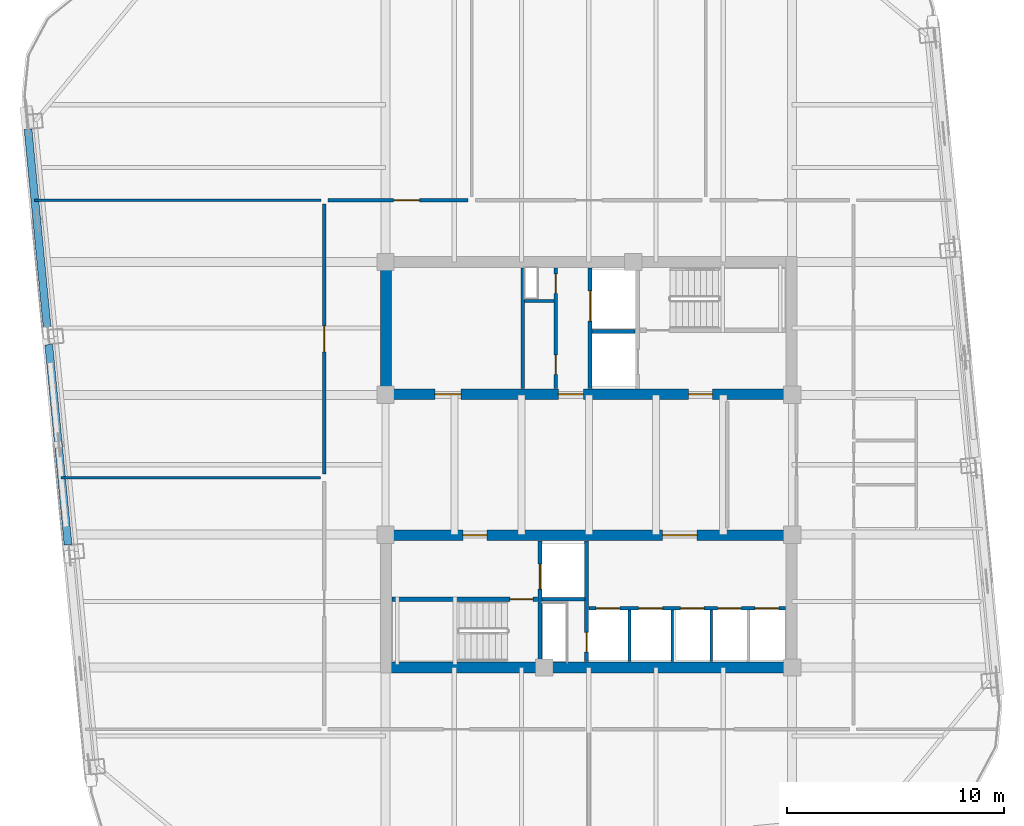
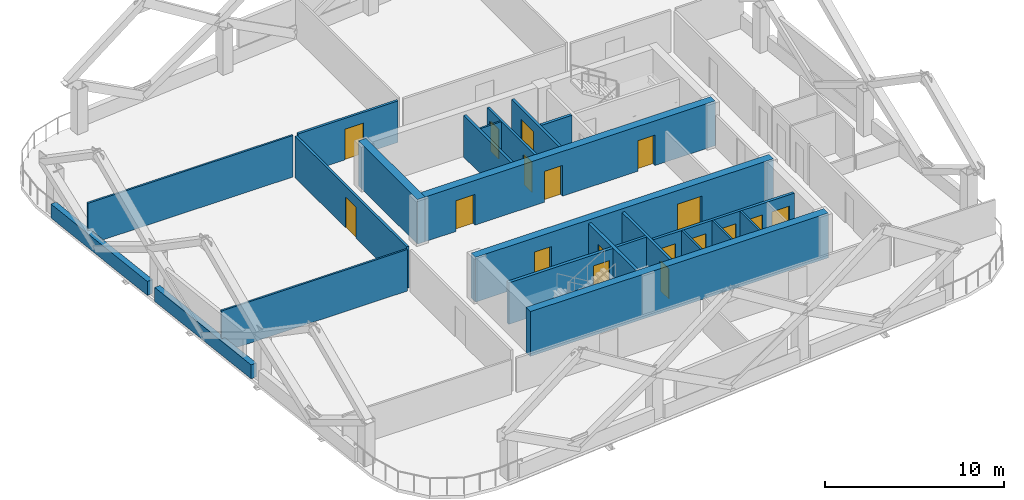
# One storey, part 4 of 9: 23 walls, 18 doors, 18 openings.
"""IFC4 building model written with IfcOpenShell, lengths in metres."""

from ifc_helpers import new_model, si_unit, direction, frame, frame_2d, origin, place, context, subcontext, project, spatial, rectangle, extrude, material, layer, layer_set, type_object, element, fill, save


model = new_model("IFC4")

# Units and contexts
model_context = context("Model", 3, precision=1e-05, world=origin(), true_north=direction((0.0, 1.0)))
body_context = subcontext(model_context, "Body", "Model", "MODEL_VIEW")
ifc_project = project(units=[si_unit("LENGTHUNIT", "METRE"), si_unit("AREAUNIT", "SQUARE_METRE"), si_unit("VOLUMEUNIT", "CUBIC_METRE"), si_unit("PLANEANGLEUNIT", "RADIAN"), si_unit("MASSUNIT", "GRAM", prefix="KILO")], contexts=[model_context])

# Site, building, storey
site_placement = place(None, origin())
site = spatial("IfcSite", under=ifc_project, at=site_placement, CompositionType="ELEMENT")
building_placement = place(site_placement, origin())
building = spatial("IfcBuilding", under=site, at=building_placement, Name="Qhalaya Broadcast Tower", CompositionType="ELEMENT")
storey_placement = place(building_placement, frame((0.0, 0.0, 180.550048828125)))
storey = spatial("IfcBuildingStorey", under=building, at=storey_placement, Name="L53", CompositionType="ELEMENT", Elevation=180.550048828125)

# Wall, openings, doors
ifc_material_1 = material(Name="Gypsum Acoustic Partition")
ifc_layer_1 = layer(ifc_material_1, 0.14990234375, Name="Gypsum Acoustic Partition")
ifc_layer_set_1 = layer_set([ifc_layer_1], Name="Gypsum Acoustic Partition")
wall_type_1 = type_object("IfcWallType", Name="Corridor & Tenancy Acoustic Partition 150", PredefinedType="PARTITIONING", material=ifc_layer_set_1)
wall_1_placement = place(storey_placement, frame((-1.52001953125, 4.1201171875, 0.0), z_axis=(0.0, 0.0, 1.0), x_axis=(0.0, 1.0, 0.0)))
wall_1 = element("IfcWall", 1, at=wall_1_placement, inside=storey, type_object=wall_type_1, Name="L53 Partition Wall NCW-SVL", PredefinedType="PARTITIONING", context=body_context, shape_type="SweptSolid", body=[
    extrude(rectangle(XDim=5.559814453125, YDim=0.14990234375, at=frame_2d((2.77978515625, 0.0))), origin(), (0.0, 0.0, 1.0), 2.829833984375),
])
opening_1_placement = place(wall_1_placement, frame((4.3798828125, 0.0, 0.0)))
opening_1 = element("IfcOpeningElement", 2, at=opening_1_placement, cuts=wall_1, Name="Opening D06", PredefinedType="OPENING", context=body_context, shape_type="SweptSolid", body=[
    extrude(rectangle(XDim=0.89990234375, YDim=2.050048828125, at=frame_2d((0.449951171875, 1.02490234375))), frame((0.0, 0.0869140625, 0.0), z_axis=(0.0, -1.0, 0.0), x_axis=(1.0, 0.0, 0.0)), (0.0, 0.0, 1.0), 0.173828125),
])
opening_2_placement = place(wall_1_placement, frame((0.64990234375, 0.0, 0.0)))
opening_2 = element("IfcOpeningElement", 3, at=opening_2_placement, cuts=wall_1, Name="Opening D06", PredefinedType="OPENING", context=body_context, shape_type="SweptSolid", body=[
    extrude(rectangle(XDim=0.89990234375, YDim=2.050048828125, at=frame_2d((0.449951171875, 1.02490234375))), frame((0.0, 0.0869140625, 0.0), z_axis=(0.0, -1.0, 0.0), x_axis=(1.0, 0.0, 0.0)), (0.0, 0.0, 1.0), 0.173828125),
])
ifc_material_2 = material(Name="Fire-Rated Steel Door", Category="steel")
door_type_1 = type_object("IfcDoorType", Name="Riser & Electrical Shaft Access Door D06", OperationType="NOTDEFINED", PredefinedType="DOOR", material=ifc_material_2)
door_1_placement = place(opening_1_placement, origin())
door_1 = element("IfcDoor", 4, at=door_1_placement, inside=storey, type_object=door_type_1, Name="L53 Riser Shaft Access Door D-NRSR", OperationType="SINGLE_SWING_RIGHT", OverallHeight=2.050048828125, OverallWidth=0.89990234375, PredefinedType="DOOR", context=body_context, shape_type="SweptSolid", body=[
    extrude(rectangle(XDim=0.89990234375, YDim=2.050048828125, at=frame_2d((0.449951171875, 1.02490234375))), frame((0.0, 0.02490234375, 0.0), z_axis=(0.0, -1.0, 0.0), x_axis=(1.0, 0.0, 0.0)), (0.0, 0.0, 1.0), 0.050048828125),
])
fill(opening_1, door_1)
door_2_placement = place(opening_2_placement, origin())
door_2 = element("IfcDoor", 5, at=door_2_placement, inside=storey, type_object=door_type_1, Name="L53 Door D-NCST", OperationType="SINGLE_SWING_LEFT", OverallHeight=2.050048828125, OverallWidth=0.89990234375, PredefinedType="DOOR", context=body_context, shape_type="SweptSolid", body=[
    extrude(rectangle(XDim=0.89990234375, YDim=2.050048828125, at=frame_2d((0.449951171875, 1.02490234375))), frame((0.0, 0.02490234375, 0.0), z_axis=(0.0, -1.0, 0.0), x_axis=(1.0, 0.0, 0.0)), (0.0, 0.0, 1.0), 0.050048828125),
])
fill(opening_2, door_2)

# Wall, opening, door
wall_2_placement = place(storey_placement, frame((-12.02001953125, 12.800048828125, 0.0), z_axis=(0.0, 0.0, 1.0), x_axis=(1.0, 0.0, 0.0)))
wall_2 = element("IfcWall", 6, at=wall_2_placement, inside=storey, type_object=wall_type_1, Name="L53 Partition Wall W-COR-01", PredefinedType="PARTITIONING", context=body_context, shape_type="SweptSolid", body=[
    extrude(rectangle(XDim=6.43994140625, YDim=0.14990234375, at=frame_2d((3.219970703125, 0.0))), origin(), (0.0, 0.0, 1.0), 2.829833984375),
])
opening_3_placement = place(wall_2_placement, frame((3.02001953125, 0.0, 0.0)))
opening_3 = element("IfcOpeningElement", 7, at=opening_3_placement, cuts=wall_2, Name="Opening D11", PredefinedType="OPENING", context=body_context, shape_type="SweptSolid", body=[
    extrude(rectangle(XDim=1.199951171875, YDim=2.10009765625, at=frame_2d((0.60009765625, 1.050048828125))), frame((0.0, 0.0869140625, 0.0), z_axis=(0.0, -1.0, 0.0), x_axis=(1.0, 0.0, 0.0)), (0.0, 0.0, 1.0), 0.173828125),
])
ifc_material_3 = material(Name="Anodised Aluminium Glazed Door", Category="aluminium")
door_type_2 = type_object("IfcDoorType", Name="Conference, Boardroom & Studio Control Door D11", OperationType="NOTDEFINED", PredefinedType="DOOR", material=ifc_material_3)
door_3_placement = place(opening_3_placement, origin())
door_3 = element("IfcDoor", 8, at=door_3_placement, inside=storey, type_object=door_type_2, Name="L53 Door D-RM01", OperationType="SINGLE_SWING_LEFT", OverallHeight=2.10009765625, OverallWidth=1.199951171875, PredefinedType="DOOR", context=body_context, shape_type="SweptSolid", body=[
    extrude(rectangle(XDim=1.199951171875, YDim=2.10009765625, at=frame_2d((0.60009765625, 1.050048828125))), frame((0.0, 0.02490234375, 0.0), z_axis=(0.0, -1.0, 0.0), x_axis=(1.0, 0.0, 0.0)), (0.0, 0.0, 1.0), 0.050048828125),
])
fill(opening_3, door_3)

wall_3_placement = place(storey_placement, frame((-12.199951171875, 0.179931640625, 0.0), z_axis=(0.0, 0.0, 1.0), x_axis=(0.0, 1.0, 0.0)))
wall_3 = element("IfcWall", 9, at=wall_3_placement, inside=storey, type_object=wall_type_1, Name="L53 Partition Wall W-COR-07", PredefinedType="PARTITIONING", context=body_context, shape_type="SweptSolid", body=[
    extrude(rectangle(XDim=12.440185546875, YDim=0.14990234375, at=frame_2d((6.22021484375, 0.0))), origin(), (0.0, 0.0, 1.0), 2.829833984375),
])
opening_4_placement = place(wall_3_placement, frame((5.6201171875, 0.0, 0.0)))
opening_4 = element("IfcOpeningElement", 10, at=opening_4_placement, cuts=wall_3, Name="Opening D11", PredefinedType="OPENING", context=body_context, shape_type="SweptSolid", body=[
    extrude(rectangle(XDim=1.199951171875, YDim=2.10009765625, at=frame_2d((0.60009765625, 1.050048828125))), frame((0.0, 0.0869140625, 0.0), z_axis=(0.0, -1.0, 0.0), x_axis=(1.0, 0.0, 0.0)), (0.0, 0.0, 1.0), 0.173828125),
])
door_4_placement = place(opening_4_placement, origin())
door_4 = element("IfcDoor", 11, at=door_4_placement, inside=storey, type_object=door_type_2, Name="L53 Door D-RM07", OperationType="SINGLE_SWING_LEFT", OverallHeight=2.10009765625, OverallWidth=1.199951171875, PredefinedType="DOOR", context=body_context, shape_type="SweptSolid", body=[
    extrude(rectangle(XDim=1.199951171875, YDim=2.10009765625, at=frame_2d((0.60009765625, 1.050048828125))), frame((0.0, 0.02490234375, 0.0), z_axis=(0.0, -1.0, 0.0), x_axis=(1.0, 0.0, 0.0)), (0.0, 0.0, 1.0), 0.050048828125),
])
fill(opening_4, door_4)

# Walls
ifc_material_4 = material(Name="Precast Concrete C40/50", Category="concrete")
ifc_layer_2 = layer(ifc_material_4, 0.360107421875, Name="Precast Concrete C40/50")
ifc_layer_set_2 = layer_set([ifc_layer_2], Name="Precast Concrete C40/50")
wall_type_2 = type_object("IfcWallType", Name="Insulated Precast Terracotta Exterior Wall 360", PredefinedType="SOLIDWALL", material=ifc_layer_set_2)
wall_4_placement = place(storey_placement, frame((-24.00927734375, -3.085693359375, 0.0), z_axis=(0.0, 0.0, 1.0), x_axis=(-0.095848453547, 0.995395938284, 0.0)))
element("IfcWall", 12, at=wall_4_placement, inside=storey, type_object=wall_type_2, Name="L53 Exoskeleton Diagrid Infill Wall W2", PredefinedType="SOLIDWALL", context=body_context, shape_type="SweptSolid", body=[
    extrude(rectangle(XDim=9.2666015625, YDim=0.360107421875, at=frame_2d((4.63330078125, 0.0))), origin(), (0.0, 0.0, 1.0), 0.949951171875),
])
wall_5_placement = place(storey_placement, frame((-24.964599609375, 6.835205078125, 0.0), z_axis=(0.0, 0.0, 1.0), x_axis=(-0.095829727039, 0.995397741315, 0.0)))
element("IfcWall", 13, at=wall_5_placement, inside=storey, type_object=wall_type_2, Name="L53 Exoskeleton Diagrid Infill Wall W3", PredefinedType="SOLIDWALL", context=body_context, shape_type="SweptSolid", body=[
    extrude(rectangle(XDim=9.278564453125, YDim=0.360107421875, at=frame_2d((4.63916015625, 0.0))), origin(), (0.0, 0.0, 1.0), 0.949951171875),
])

# Wall, opening, door
ifc_material_5 = material(Name="Concrete C50/60", Category="concrete")
ifc_layer_3 = layer(ifc_material_5, 0.199951171875, Name="Concrete C50/60")
ifc_layer_set_3 = layer_set([ifc_layer_3], Name="Concrete C50/60")
wall_type_3 = type_object("IfcWallType", Name="Load-Bearing Stair Shaft Wall 200", PredefinedType="SHEAR", material=ifc_layer_set_3)
wall_6_placement = place(storey_placement, frame((-9.080078125, -5.60498046875, 0.0), z_axis=(0.0, 0.0, 1.0), x_axis=(1.0, 0.0, 0.0)))
wall_6 = element("IfcWall", 14, at=wall_6_placement, inside=storey, type_object=wall_type_3, Name="L53 Stair Core Shear Wall SCW-ST2", PredefinedType="SHEAR", context=body_context, shape_type="SweptSolid", body=[
    extrude(rectangle(XDim=6.719970703125, YDim=0.199951171875, at=frame_2d((3.35986328125, 0.0))), origin(), (0.0, 0.0, 1.0), 2.829833984375),
])
opening_5_placement = place(wall_6_placement, frame((5.449951171875, 0.0, 0.0)))
opening_5 = element("IfcOpeningElement", 15, at=opening_5_placement, cuts=wall_6, Name="Opening D03", PredefinedType="OPENING", context=body_context, shape_type="SweptSolid", body=[
    extrude(rectangle(XDim=1.050048828125, YDim=2.080078125, at=frame_2d((0.52490234375, 1.0400390625))), frame((0.0, 0.112060546875, 0.0), z_axis=(0.0, -1.0, 0.0), x_axis=(1.0, 0.0, 0.0)), (0.0, 0.0, 1.0), 0.223876953125),
])
door_type_3 = type_object("IfcDoorType", Name="Core Stair Protected Fire Door D03", OperationType="NOTDEFINED", PredefinedType="DOOR", material=ifc_material_2)
door_5_placement = place(opening_5_placement, origin())
door_5 = element("IfcDoor", 16, at=door_5_placement, inside=storey, type_object=door_type_3, Name="L53 Door D-SST2", OperationType="SINGLE_SWING_RIGHT", OverallHeight=2.080078125, OverallWidth=1.050048828125, PredefinedType="DOOR", context=body_context, shape_type="SweptSolid", body=[
    extrude(rectangle(XDim=1.050048828125, YDim=2.080078125, at=frame_2d((0.52490234375, 1.0400390625))), frame((0.0, 0.02490234375, 0.0), z_axis=(0.0, -1.0, 0.0), x_axis=(1.0, 0.0, 0.0)), (0.0, 0.0, 1.0), 0.050048828125),
])
fill(opening_5, door_5)

wall_7_placement = place(storey_placement, frame((-2.25, -8.47998046875, 0.0), z_axis=(0.0, 0.0, 1.0), x_axis=(0.0, 1.0, 0.0)))
wall_7 = element("IfcWall", 17, at=wall_7_placement, inside=storey, type_object=wall_type_3, Name="L53 Stair Core Shear Wall SCW-FF", PredefinedType="SHEAR", context=body_context, shape_type="SweptSolid", body=[
    extrude(rectangle(XDim=5.56005859375, YDim=0.199951171875, at=frame_2d((2.780029296875, 0.0))), origin(), (0.0, 0.0, 1.0), 2.829833984375),
])
opening_6_placement = place(wall_7_placement, frame((3.35009765625, 0.0, 0.0)))
opening_6 = element("IfcOpeningElement", 18, at=opening_6_placement, cuts=wall_7, Name="Opening LD2", PredefinedType="OPENING", context=body_context, shape_type="SweptSolid", body=[
    extrude(rectangle(XDim=1.14990234375, YDim=2.080078125, at=frame_2d((0.574951171875, 1.0400390625))), frame((0.0, 0.112060546875, 0.0), z_axis=(0.0, -1.0, 0.0), x_axis=(1.0, 0.0, 0.0)), (0.0, 0.0, 1.0), 0.223876953125),
])
ifc_material_6 = material(Name="Brushed Stainless Steel Lift Door", Category="steel")
door_type_4 = type_object("IfcDoorType", Name="Firefighting Lift Sliding Landing Door LD2", OperationType="DOUBLE_DOOR_SLIDING", PredefinedType="DOOR", material=ifc_material_6)
door_6_placement = place(opening_6_placement, origin())
door_6 = element("IfcDoor", 19, at=door_6_placement, inside=storey, type_object=door_type_4, Name="L53 Door LD-FF2", OperationType="DOUBLE_DOOR_SLIDING", OverallHeight=2.080078125, OverallWidth=1.14990234375, PredefinedType="DOOR", context=body_context, shape_type="SweptSolid", body=[
    extrude(rectangle(XDim=1.14990234375, YDim=2.080078125, at=frame_2d((0.574951171875, 1.0400390625))), frame((0.0, 0.02490234375, 0.0), z_axis=(0.0, -1.0, 0.0), x_axis=(1.0, 0.0, 0.0)), (0.0, 0.0, 1.0), 0.050048828125),
])
fill(opening_6, door_6)

# Wall, openings, doors
ifc_layer_4 = layer(ifc_material_5, 0.5, Name="Concrete C50/60")
ifc_layer_set_4 = layer_set([ifc_layer_4], Name="Concrete C50/60")
wall_type_4 = type_object("IfcWallType", Name="Mid Split-Core Shear Wall 500", PredefinedType="SHEAR", material=ifc_layer_set_4)
wall_8_placement = place(storey_placement, frame((-9.60009765625, 3.85009765625, 0.0), z_axis=(0.0, 0.0, 1.0), x_axis=(1.0, 0.0, 0.0)))
wall_8 = element("IfcWall", 20, at=wall_8_placement, inside=storey, type_object=wall_type_4, Name="L53 Split-Core Shear Wall CW-NS", PredefinedType="SHEAR", context=body_context, shape_type="SweptSolid", body=[
    extrude(rectangle(XDim=19.2001953125, YDim=0.5, at=frame_2d((9.60009765625, 0.0))), origin(), (0.0, 0.0, 1.0), 3.050048828125),
])
opening_7_placement = place(wall_8_placement, frame((14.199951171875, 0.0, 0.0)))
opening_7 = element("IfcOpeningElement", 21, at=opening_7_placement, cuts=wall_8, Name="Opening D04", PredefinedType="OPENING", context=body_context, shape_type="SweptSolid", body=[
    extrude(rectangle(XDim=1.10009765625, YDim=2.080078125, at=frame_2d((0.550048828125, 1.0400390625))), frame((0.0, 0.261962890625, 0.0), z_axis=(0.0, -1.0, 0.0), x_axis=(1.0, 0.0, 0.0)), (0.0, 0.0, 1.0), 0.52392578125),
])
opening_8_placement = place(wall_8_placement, frame((8.199951171875, 0.0, 0.0)))
opening_8 = element("IfcOpeningElement", 22, at=opening_8_placement, cuts=wall_8, Name="Opening D05", PredefinedType="OPENING", context=body_context, shape_type="SweptSolid", body=[
    extrude(rectangle(XDim=1.14990234375, YDim=2.10009765625, at=frame_2d((0.574951171875, 1.050048828125))), frame((0.0, 0.261962890625, 0.0), z_axis=(0.0, -1.0, 0.0), x_axis=(1.0, 0.0, 0.0)), (0.0, 0.0, 1.0), 0.52392578125),
])
opening_9_placement = place(wall_8_placement, frame((2.5, 0.0, 0.0)))
opening_9 = element("IfcOpeningElement", 23, at=opening_9_placement, cuts=wall_8, Name="Opening D11", PredefinedType="OPENING", context=body_context, shape_type="SweptSolid", body=[
    extrude(rectangle(XDim=1.199951171875, YDim=2.10009765625, at=frame_2d((0.60009765625, 1.050048828125))), frame((0.0, 0.261962890625, 0.0), z_axis=(0.0, -1.0, 0.0), x_axis=(1.0, 0.0, 0.0)), (0.0, 0.0, 1.0), 0.52392578125),
])
door_7_placement = place(opening_9_placement, origin())
door_7 = element("IfcDoor", 24, at=door_7_placement, inside=storey, type_object=door_type_2, Name="L53 Door D-NREC1", OperationType="SINGLE_SWING_LEFT", OverallHeight=2.10009765625, OverallWidth=1.199951171875, PredefinedType="DOOR", context=body_context, shape_type="SweptSolid", body=[
    extrude(rectangle(XDim=1.199951171875, YDim=2.10009765625, at=frame_2d((0.60009765625, 1.050048828125))), frame((0.0, 0.02490234375, 0.0), z_axis=(0.0, -1.0, 0.0), x_axis=(1.0, 0.0, 0.0)), (0.0, 0.0, 1.0), 0.050048828125),
])
fill(opening_9, door_7)
door_type_5 = type_object("IfcDoorType", Name="Firefighting Lobby Rated Door D04", OperationType="NOTDEFINED", PredefinedType="DOOR", material=ifc_material_2)
door_8_placement = place(opening_7_placement, origin())
door_8 = element("IfcDoor", 25, at=door_8_placement, inside=storey, type_object=door_type_5, Name="L53 Door D-NFF", OperationType="SINGLE_SWING_RIGHT", OverallHeight=2.080078125, OverallWidth=1.10009765625, PredefinedType="DOOR", context=body_context, shape_type="SweptSolid", body=[
    extrude(rectangle(XDim=1.10009765625, YDim=2.080078125, at=frame_2d((0.550048828125, 1.0400390625))), frame((0.0, 0.02490234375, 0.0), z_axis=(0.0, -1.0, 0.0), x_axis=(1.0, 0.0, 0.0)), (0.0, 0.0, 1.0), 0.050048828125),
])
fill(opening_7, door_8)
door_type_6 = type_object("IfcDoorType", Name="Refuge & Plant Room Fire Door D05", OperationType="NOTDEFINED", PredefinedType="DOOR", material=ifc_material_2)
door_9_placement = place(opening_8_placement, origin())
door_9 = element("IfcDoor", 26, at=door_9_placement, inside=storey, type_object=door_type_6, Name="L53 Door D-NSVL", OperationType="SINGLE_SWING_LEFT", OverallHeight=2.10009765625, OverallWidth=1.14990234375, PredefinedType="DOOR", context=body_context, shape_type="SweptSolid", body=[
    extrude(rectangle(XDim=1.14990234375, YDim=2.10009765625, at=frame_2d((0.574951171875, 1.050048828125))), frame((0.0, 0.02490234375, 0.0), z_axis=(0.0, -1.0, 0.0), x_axis=(1.0, 0.0, 0.0)), (0.0, 0.0, 1.0), 0.050048828125),
])
fill(opening_8, door_9)

# Walls
wall_9_placement = place(storey_placement, frame((-9.35009765625, 3.60009765625, 0.0), z_axis=(0.0, 0.0, 1.0), x_axis=(0.0, 1.0, 0.0)))
element("IfcWall", 27, at=wall_9_placement, inside=storey, type_object=wall_type_4, Name="L53 Split-Core Shear Wall CW-NW", PredefinedType="SHEAR", context=body_context, shape_type="SweptSolid", body=[
    extrude(rectangle(XDim=6.599853515625, YDim=0.5, at=frame_2d((3.2998046875, 0.0))), origin(), (0.0, 0.0, 1.0), 3.050048828125),
])
wall_10_placement = place(storey_placement, frame((-9.60009765625, -8.75, 0.0), z_axis=(0.0, 0.0, 1.0), x_axis=(1.0, 0.0, 0.0)))
element("IfcWall", 28, at=wall_10_placement, inside=storey, type_object=wall_type_4, Name="L53 Split-Core Shear Wall CW-SS", PredefinedType="SHEAR", context=body_context, shape_type="SweptSolid", body=[
    extrude(rectangle(XDim=19.2001953125, YDim=0.5, at=frame_2d((9.60009765625, 0.0))), origin(), (0.0, 0.0, 1.0), 3.050048828125),
])

# Wall, openings, doors
wall_11_placement = place(storey_placement, frame((-9.60009765625, -2.64990234375, 0.0), z_axis=(0.0, 0.0, 1.0), x_axis=(1.0, 0.0, 0.0)))
wall_11 = element("IfcWall", 29, at=wall_11_placement, inside=storey, type_object=wall_type_4, Name="L53 Split-Core Shear Wall CW-SN", PredefinedType="SHEAR", context=body_context, shape_type="SweptSolid", body=[
    extrude(rectangle(XDim=19.2001953125, YDim=0.5, at=frame_2d((9.60009765625, 0.0))), origin(), (0.0, 0.0, 1.0), 3.050048828125),
])
opening_10_placement = place(wall_11_placement, frame((3.800048828125, 0.0, 0.0)))
opening_10 = element("IfcOpeningElement", 30, at=opening_10_placement, cuts=wall_11, Name="Opening D04", PredefinedType="OPENING", context=body_context, shape_type="SweptSolid", body=[
    extrude(rectangle(XDim=1.10009765625, YDim=2.080078125, at=frame_2d((0.550048828125, 1.0400390625))), frame((0.0, 0.261962890625, 0.0), z_axis=(0.0, -1.0, 0.0), x_axis=(1.0, 0.0, 0.0)), (0.0, 0.0, 1.0), 0.52392578125),
])
opening_11_placement = place(wall_11_placement, frame((13.0, 0.0, 0.0)))
opening_11 = element("IfcOpeningElement", 31, at=opening_11_placement, cuts=wall_11, Name="Opening D07", PredefinedType="OPENING", context=body_context, shape_type="SweptSolid", body=[
    extrude(rectangle(XDim=1.60009765625, YDim=2.1201171875, at=frame_2d((0.800048828125, 1.06005859375))), frame((0.0, 0.261962890625, 0.0), z_axis=(0.0, -1.0, 0.0), x_axis=(1.0, 0.0, 0.0)), (0.0, 0.0, 1.0), 0.52392578125),
])
door_10_placement = place(opening_10_placement, origin())
door_10 = element("IfcDoor", 32, at=door_10_placement, inside=storey, type_object=door_type_5, Name="L53 Door D-SFF", OperationType="SINGLE_SWING_LEFT", OverallHeight=2.080078125, OverallWidth=1.10009765625, PredefinedType="DOOR", context=body_context, shape_type="SweptSolid", body=[
    extrude(rectangle(XDim=1.10009765625, YDim=2.080078125, at=frame_2d((0.550048828125, 1.0400390625))), frame((0.0, 0.02490234375, 0.0), z_axis=(0.0, -1.0, 0.0), x_axis=(1.0, 0.0, 0.0)), (0.0, 0.0, 1.0), 0.050048828125),
])
fill(opening_10, door_10)
door_type_7 = type_object("IfcDoorType", Name="Passenger Lift Lobby Double Glazed Door D07", OperationType="DOUBLE_DOOR_SINGLE_SWING", PredefinedType="DOOR", material=ifc_material_3)
door_11_placement = place(opening_11_placement, origin())
door_11 = element("IfcDoor", 33, at=door_11_placement, inside=storey, type_object=door_type_7, Name="L53 Door D-SPLL", OperationType="DOUBLE_DOOR_SINGLE_SWING", OverallHeight=2.1201171875, OverallWidth=1.60009765625, PredefinedType="DOOR", context=body_context, shape_type="SweptSolid", body=[
    extrude(rectangle(XDim=1.60009765625, YDim=2.1201171875, at=frame_2d((0.800048828125, 1.06005859375))), frame((0.0, 0.02490234375, 0.0), z_axis=(0.0, -1.0, 0.0), x_axis=(1.0, 0.0, 0.0)), (0.0, 0.0, 1.0), 0.050048828125),
])
fill(opening_11, door_11)

# Walls
ifc_layer_5 = layer(ifc_material_1, 0.1201171875, Name="Gypsum Acoustic Partition")
ifc_layer_set_5 = layer_set([ifc_layer_5], Name="Gypsum Acoustic Partition")
wall_type_5 = type_object("IfcWallType", Name="Office, Booth & Sanitary Partition 120", PredefinedType="PARTITIONING", material=ifc_layer_set_5)
wall_12_placement = place(storey_placement, frame((-2.9599609375, 8.14990234375, 0.0), z_axis=(0.0, 0.0, 1.0), x_axis=(1.0, 0.0, 0.0)))
element("IfcWall", 34, at=wall_12_placement, inside=storey, type_object=wall_type_5, Name="L53 Partition Wall NCW-VA", PredefinedType="PARTITIONING", context=body_context, shape_type="SweptSolid", body=[
    extrude(rectangle(XDim=1.35986328125, YDim=0.1201171875, at=frame_2d((0.679931640625, 0.0))), origin(), (0.0, 0.0, 1.0), 2.829833984375),
])
for number, where, z_axis, x_axis, name in (
    (35, (1.8798828125, -8.47998046875, 0.0), (0.0, 0.0, 1.0), (0.0, 1.0, 0.0), "L53 Partition Wall SCW-MD4"),
    (36, (3.85009765625, -8.47998046875, 0.0), (0.0, 0.0, 1.0), (0.0, 1.0, 0.0), "L53 Partition Wall SCW-MD5"),
    (37, (5.639892578125, -8.47998046875, 0.0), (0.0, 0.0, 1.0), (0.0, 1.0, 0.0), "L53 Partition Wall SCW-HD6"),
):
    element("IfcWall", number, at=place(storey_placement, frame(where, z_axis=z_axis, x_axis=x_axis)), inside=storey, type_object=wall_type_5, Name=name, PredefinedType="PARTITIONING", context=body_context, shape_type="SweptSolid", body=[
        extrude(rectangle(XDim=2.3798828125, YDim=0.1201171875, at=frame_2d((1.18994140625, 0.0))), origin(), (0.0, 0.0, 1.0), 2.829833984375),
    ])
wall_13_placement = place(storey_placement, frame((-25.558837890625, 12.800048828125, 0.0), z_axis=(0.0, 0.0, 1.0), x_axis=(1.0, 0.0, 0.0)))
element("IfcWall", 38, at=wall_13_placement, inside=storey, type_object=wall_type_5, Name="L53 Partition Wall W-BNDW1", PredefinedType="PARTITIONING", context=body_context, shape_type="SweptSolid", body=[
    extrude(rectangle(XDim=13.21875, YDim=0.1201171875, at=frame_2d((6.609375, 0.0))), origin(), (0.0, 0.0, 1.0), 2.829833984375),
])
wall_14_placement = place(storey_placement, frame((-24.326416015625, 0.0, 0.0), z_axis=(0.0, 0.0, 1.0), x_axis=(1.0, 0.0, 0.0)))
element("IfcWall", 39, at=wall_14_placement, inside=storey, type_object=wall_type_5, Name="L53 Partition Wall W-DIVW1", PredefinedType="PARTITIONING", context=body_context, shape_type="SweptSolid", body=[
    extrude(rectangle(XDim=11.96630859375, YDim=0.1201171875, at=frame_2d((5.983154296875, 0.0))), origin(), (0.0, 0.0, 1.0), 2.829833984375),
])

# Wall, opening, door
ifc_layer_6 = layer(ifc_material_1, 0.175048828125, Name="Gypsum Acoustic Partition")
ifc_layer_set_6 = layer_set([ifc_layer_6], Name="Gypsum Acoustic Partition")
wall_type_6 = type_object("IfcWallType", Name="Shaft & Riser Fire Partition 175", PredefinedType="PARTITIONING", material=ifc_layer_set_6)
wall_15_placement = place(storey_placement, frame((0.06005859375, 4.1201171875, 0.0), z_axis=(0.0, 0.0, 1.0), x_axis=(0.0, 1.0, 0.0)))
wall_15 = element("IfcWall", 40, at=wall_15_placement, inside=storey, type_object=wall_type_6, Name="L53 Partition Wall NCW-SVW", PredefinedType="PARTITIONING", context=body_context, shape_type="SweptSolid", body=[
    extrude(rectangle(XDim=5.559814453125, YDim=0.175048828125, at=frame_2d((2.77978515625, 0.0))), origin(), (0.0, 0.0, 1.0), 2.829833984375),
])
opening_12_placement = place(wall_15_placement, frame((3.10009765625, 0.0, 0.0)))
opening_12 = element("IfcOpeningElement", 41, at=opening_12_placement, cuts=wall_15, Name="Opening LD3", PredefinedType="OPENING", context=body_context, shape_type="SweptSolid", body=[
    extrude(rectangle(XDim=1.39990234375, YDim=2.1201171875, at=frame_2d((0.699951171875, 1.06005859375))), frame((0.0, 0.099609375, 0.0), z_axis=(0.0, -1.0, 0.0), x_axis=(1.0, 0.0, 0.0)), (0.0, 0.0, 1.0), 0.198974609375),
])
door_type_8 = type_object("IfcDoorType", Name="Service Lift Wide Sliding Landing Door LD3", OperationType="DOUBLE_DOOR_SLIDING", PredefinedType="DOOR", material=ifc_material_6)
door_12_placement = place(opening_12_placement, origin())
door_12 = element("IfcDoor", 42, at=door_12_placement, inside=storey, type_object=door_type_8, Name="L53 Door LD-SV1", OperationType="DOUBLE_DOOR_SLIDING", OverallHeight=2.1201171875, OverallWidth=1.39990234375, PredefinedType="DOOR", context=body_context, shape_type="SweptSolid", body=[
    extrude(rectangle(XDim=1.39990234375, YDim=2.1201171875, at=frame_2d((0.699951171875, 1.06005859375))), frame((0.0, 0.02490234375, 0.0), z_axis=(0.0, -1.0, 0.0), x_axis=(1.0, 0.0, 0.0)), (0.0, 0.0, 1.0), 0.050048828125),
])
fill(opening_12, door_12)

# Walls
wall_16_placement = place(storey_placement, frame((0.159912109375, 6.75, 0.0), z_axis=(0.0, 0.0, 1.0), x_axis=(1.0, 0.0, 0.0)))
element("IfcWall", 43, at=wall_16_placement, inside=storey, type_object=wall_type_6, Name="L53 Partition Wall NCW-SVM", PredefinedType="PARTITIONING", context=body_context, shape_type="SweptSolid", body=[
    extrude(rectangle(XDim=1.97998046875, YDim=0.175048828125, at=frame_2d((0.989990234375, 0.0))), origin(), (0.0, 0.0, 1.0), 2.829833984375),
])
wall_17_placement = place(storey_placement, frame((-3.0400390625, 4.1201171875, 0.0), z_axis=(0.0, 0.0, 1.0), x_axis=(0.0, 1.0, 0.0)))
element("IfcWall", 44, at=wall_17_placement, inside=storey, type_object=wall_type_6, Name="L53 Partition Wall NCW-VRW", PredefinedType="PARTITIONING", context=body_context, shape_type="SweptSolid", body=[
    extrude(rectangle(XDim=5.559814453125, YDim=0.175048828125, at=frame_2d((2.77978515625, 0.0))), origin(), (0.0, 0.0, 1.0), 2.829833984375),
])

# Wall, opening, door
wall_18_placement = place(storey_placement, frame((-0.10009765625, -8.47998046875, 0.0), z_axis=(0.0, 0.0, 1.0), x_axis=(0.0, 1.0, 0.0)))
wall_18 = element("IfcWall", 45, at=wall_18_placement, inside=storey, type_object=wall_type_6, Name="L53 Partition Wall SCW-FFE", PredefinedType="PARTITIONING", context=body_context, shape_type="SweptSolid", body=[
    extrude(rectangle(XDim=5.56005859375, YDim=0.175048828125, at=frame_2d((2.780029296875, 0.0))), origin(), (0.0, 0.0, 1.0), 2.829833984375),
])
opening_13_placement = place(wall_18_placement, frame((0.449951171875, 0.0, 0.0)))
opening_13 = element("IfcOpeningElement", 46, at=opening_13_placement, cuts=wall_18, Name="Opening D06", PredefinedType="OPENING", context=body_context, shape_type="SweptSolid", body=[
    extrude(rectangle(XDim=0.89990234375, YDim=2.050048828125, at=frame_2d((0.449951171875, 1.02490234375))), frame((0.0, 0.099609375, 0.0), z_axis=(0.0, -1.0, 0.0), x_axis=(1.0, 0.0, 0.0)), (0.0, 0.0, 1.0), 0.198974609375),
])
door_13_placement = place(opening_13_placement, origin())
door_13 = element("IfcDoor", 47, at=door_13_placement, inside=storey, type_object=door_type_1, Name="L53 Riser Shaft Access Door D-SRSR", OperationType="SINGLE_SWING_LEFT", OverallHeight=2.050048828125, OverallWidth=0.89990234375, PredefinedType="DOOR", context=body_context, shape_type="SweptSolid", body=[
    extrude(rectangle(XDim=0.89990234375, YDim=2.050048828125, at=frame_2d((0.449951171875, 1.02490234375))), frame((0.0, 0.02490234375, 0.0), z_axis=(0.0, -1.0, 0.0), x_axis=(1.0, 0.0, 0.0)), (0.0, 0.0, 1.0), 0.050048828125),
])
fill(opening_13, door_13)

# Wall
wall_19_placement = place(storey_placement, frame((-2.14990234375, -5.60009765625, 0.0), z_axis=(0.0, 0.0, 1.0), x_axis=(1.0, 0.0, 0.0)))
element("IfcWall", 48, at=wall_19_placement, inside=storey, type_object=wall_type_6, Name="L53 Partition Wall SCW-FFM", PredefinedType="PARTITIONING", context=body_context, shape_type="SweptSolid", body=[
    extrude(rectangle(XDim=1.969970703125, YDim=0.175048828125, at=frame_2d((0.98486328125, 0.0))), origin(), (0.0, 0.0, 1.0), 2.829833984375),
])

# Wall, openings, doors
wall_20_placement = place(storey_placement, frame((0.0, -6.02001953125, 0.0), z_axis=(0.0, 0.0, 1.0), x_axis=(1.0, 0.0, 0.0)))
wall_20 = element("IfcWall", 49, at=wall_20_placement, inside=storey, type_object=wall_type_6, Name="L53 Partition Wall SCW-SLB", PredefinedType="PARTITIONING", context=body_context, shape_type="SweptSolid", body=[
    extrude(rectangle(XDim=9.080078125, YDim=0.175048828125, at=frame_2d((4.5400390625, 0.0))), origin(), (0.0, 0.0, 1.0), 2.829833984375),
])
opening_14_placement = place(wall_20_placement, frame((0.330078125, 0.0, 0.0)))
opening_14 = element("IfcOpeningElement", 50, at=opening_14_placement, cuts=wall_20, Name="Opening LD1", PredefinedType="OPENING", context=body_context, shape_type="SweptSolid", body=[
    extrude(rectangle(XDim=1.10009765625, YDim=2.06005859375, at=frame_2d((0.550048828125, 1.030029296875))), frame((0.0, 0.099609375, 0.0), z_axis=(0.0, -1.0, 0.0), x_axis=(1.0, 0.0, 0.0)), (0.0, 0.0, 1.0), 0.198974609375),
])
opening_15_placement = place(wall_20_placement, frame((2.300048828125, 0.0, 0.0)))
opening_15 = element("IfcOpeningElement", 51, at=opening_15_placement, cuts=wall_20, Name="Opening LD1", PredefinedType="OPENING", context=body_context, shape_type="SweptSolid", body=[
    extrude(rectangle(XDim=1.10009765625, YDim=2.06005859375, at=frame_2d((0.550048828125, 1.030029296875))), frame((0.0, 0.099609375, 0.0), z_axis=(0.0, -1.0, 0.0), x_axis=(1.0, 0.0, 0.0)), (0.0, 0.0, 1.0), 0.198974609375),
])
opening_16_placement = place(wall_20_placement, frame((4.219970703125, 0.0, 0.0)))
opening_16 = element("IfcOpeningElement", 52, at=opening_16_placement, cuts=wall_20, Name="Opening LD1", PredefinedType="OPENING", context=body_context, shape_type="SweptSolid", body=[
    extrude(rectangle(XDim=1.10009765625, YDim=2.06005859375, at=frame_2d((0.550048828125, 1.030029296875))), frame((0.0, 0.099609375, 0.0), z_axis=(0.0, -1.0, 0.0), x_axis=(1.0, 0.0, 0.0)), (0.0, 0.0, 1.0), 0.198974609375),
])
opening_17_placement = place(wall_20_placement, frame((5.93994140625, 0.0, 0.0)))
opening_17 = element("IfcOpeningElement", 53, at=opening_17_placement, cuts=wall_20, Name="Opening LD1", PredefinedType="OPENING", context=body_context, shape_type="SweptSolid", body=[
    extrude(rectangle(XDim=1.10009765625, YDim=2.06005859375, at=frame_2d((0.550048828125, 1.030029296875))), frame((0.0, 0.099609375, 0.0), z_axis=(0.0, -1.0, 0.0), x_axis=(1.0, 0.0, 0.0)), (0.0, 0.0, 1.0), 0.198974609375),
])
opening_18_placement = place(wall_20_placement, frame((7.659912109375, 0.0, 0.0)))
opening_18 = element("IfcOpeningElement", 54, at=opening_18_placement, cuts=wall_20, Name="Opening LD1", PredefinedType="OPENING", context=body_context, shape_type="SweptSolid", body=[
    extrude(rectangle(XDim=1.10009765625, YDim=2.06005859375, at=frame_2d((0.550048828125, 1.030029296875))), frame((0.0, 0.099609375, 0.0), z_axis=(0.0, -1.0, 0.0), x_axis=(1.0, 0.0, 0.0)), (0.0, 0.0, 1.0), 0.198974609375),
])
door_type_9 = type_object("IfcDoorType", Name="Passenger Lift Sliding Landing Door LD1", OperationType="DOUBLE_DOOR_SLIDING", PredefinedType="DOOR", material=ifc_material_6)
door_14_placement = place(opening_14_placement, origin())
door_14 = element("IfcDoor", 55, at=door_14_placement, inside=storey, type_object=door_type_9, Name="L53 Door LD-P4", OperationType="DOUBLE_DOOR_SLIDING", OverallHeight=2.06005859375, OverallWidth=1.10009765625, PredefinedType="DOOR", context=body_context, shape_type="SweptSolid", body=[
    extrude(rectangle(XDim=1.10009765625, YDim=2.06005859375, at=frame_2d((0.550048828125, 1.030029296875))), frame((0.0, 0.02490234375, 0.0), z_axis=(0.0, -1.0, 0.0), x_axis=(1.0, 0.0, 0.0)), (0.0, 0.0, 1.0), 0.050048828125),
])
fill(opening_14, door_14)
door_15_placement = place(opening_15_placement, origin())
door_15 = element("IfcDoor", 56, at=door_15_placement, inside=storey, type_object=door_type_9, Name="L53 Door LD-P5", OperationType="DOUBLE_DOOR_SLIDING", OverallHeight=2.06005859375, OverallWidth=1.10009765625, PredefinedType="DOOR", context=body_context, shape_type="SweptSolid", body=[
    extrude(rectangle(XDim=1.10009765625, YDim=2.06005859375, at=frame_2d((0.550048828125, 1.030029296875))), frame((0.0, 0.02490234375, 0.0), z_axis=(0.0, -1.0, 0.0), x_axis=(1.0, 0.0, 0.0)), (0.0, 0.0, 1.0), 0.050048828125),
])
fill(opening_15, door_15)
door_16_placement = place(opening_16_placement, origin())
door_16 = element("IfcDoor", 57, at=door_16_placement, inside=storey, type_object=door_type_9, Name="L53 Door LD-P6", OperationType="DOUBLE_DOOR_SLIDING", OverallHeight=2.06005859375, OverallWidth=1.10009765625, PredefinedType="DOOR", context=body_context, shape_type="SweptSolid", body=[
    extrude(rectangle(XDim=1.10009765625, YDim=2.06005859375, at=frame_2d((0.550048828125, 1.030029296875))), frame((0.0, 0.02490234375, 0.0), z_axis=(0.0, -1.0, 0.0), x_axis=(1.0, 0.0, 0.0)), (0.0, 0.0, 1.0), 0.050048828125),
])
fill(opening_16, door_16)
door_17_placement = place(opening_17_placement, origin())
door_17 = element("IfcDoor", 58, at=door_17_placement, inside=storey, type_object=door_type_9, Name="L53 Door LD-P7", OperationType="DOUBLE_DOOR_SLIDING", OverallHeight=2.06005859375, OverallWidth=1.10009765625, PredefinedType="DOOR", context=body_context, shape_type="SweptSolid", body=[
    extrude(rectangle(XDim=1.10009765625, YDim=2.06005859375, at=frame_2d((0.550048828125, 1.030029296875))), frame((0.0, 0.02490234375, 0.0), z_axis=(0.0, -1.0, 0.0), x_axis=(1.0, 0.0, 0.0)), (0.0, 0.0, 1.0), 0.050048828125),
])
fill(opening_17, door_17)
door_18_placement = place(opening_18_placement, origin())
door_18 = element("IfcDoor", 59, at=door_18_placement, inside=storey, type_object=door_type_9, Name="L53 Door LD-P8", OperationType="DOUBLE_DOOR_SLIDING", OverallHeight=2.06005859375, OverallWidth=1.10009765625, PredefinedType="DOOR", context=body_context, shape_type="SweptSolid", body=[
    extrude(rectangle(XDim=1.10009765625, YDim=2.06005859375, at=frame_2d((0.550048828125, 1.030029296875))), frame((0.0, 0.02490234375, 0.0), z_axis=(0.0, -1.0, 0.0), x_axis=(1.0, 0.0, 0.0)), (0.0, 0.0, 1.0), 0.050048828125),
])
fill(opening_18, door_18)

save(model, "model.ifc")
